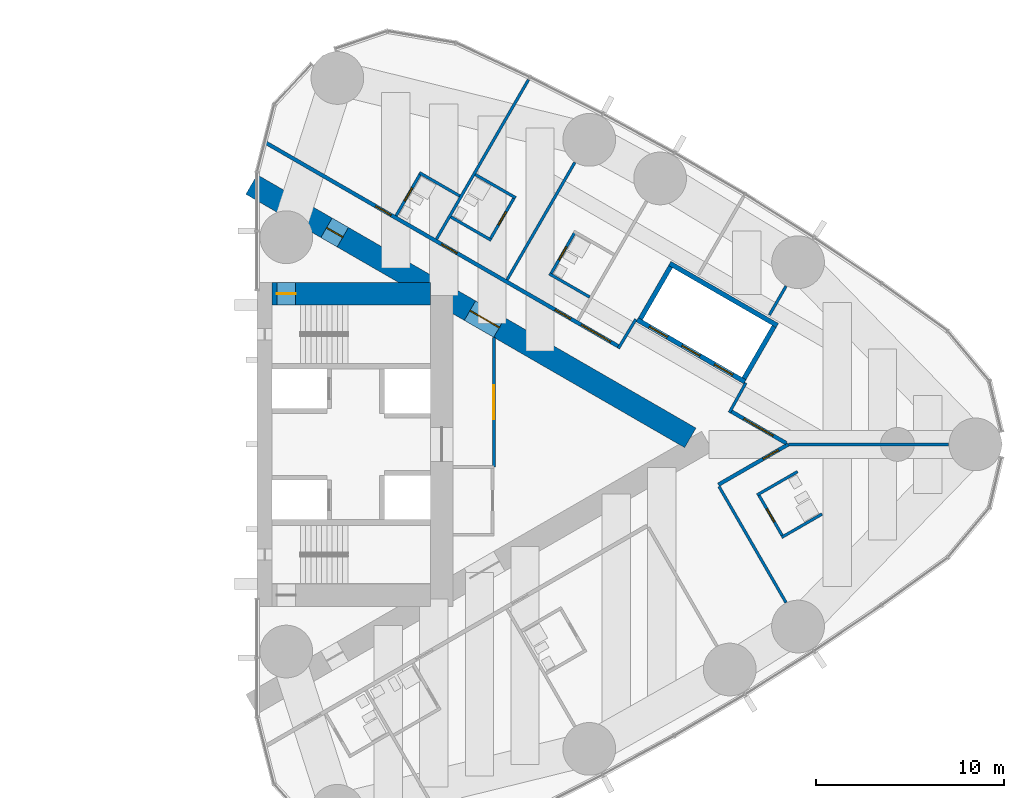
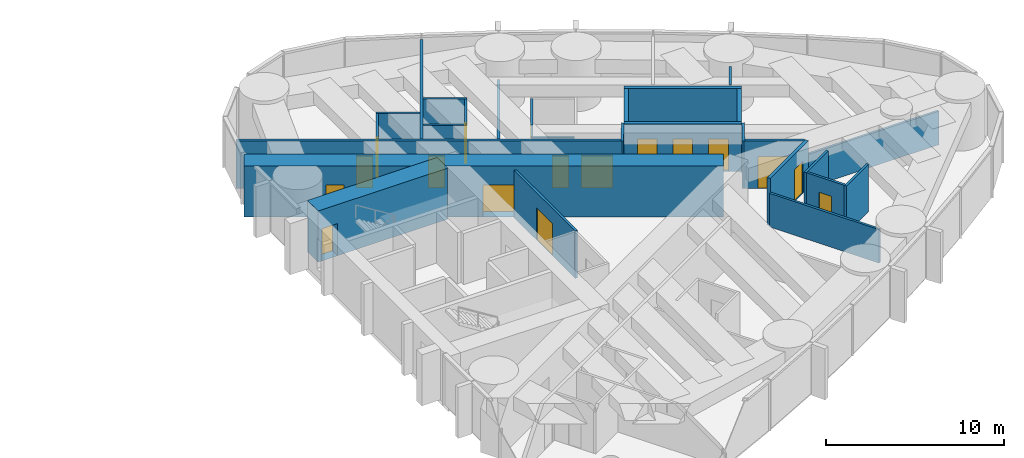
# One storey, part 15 of 18: 27 walls, 17 doors, 17 openings.
"""IFC4 building model written with IfcOpenShell, lengths in metres."""

from ifc_helpers import new_model, si_unit, direction, frame, frame_2d, origin, place, context, subcontext, project, spatial, rectangle, extrude, material, layer, layer_set, type_object, element, fill, save


model = new_model("IFC4")

# Units and contexts
model_context = context("Model", 3, precision=1e-05, world=origin(), true_north=direction((0.0, 1.0)))
body_context = subcontext(model_context, "Body", "Model", "MODEL_VIEW")
ifc_project = project(units=[si_unit("LENGTHUNIT", "METRE"), si_unit("AREAUNIT", "SQUARE_METRE"), si_unit("VOLUMEUNIT", "CUBIC_METRE"), si_unit("PLANEANGLEUNIT", "RADIAN"), si_unit("MASSUNIT", "GRAM", prefix="KILO")], contexts=[model_context])

# Site, building, storey
site_placement = place(None, origin())
site = spatial("IfcSite", under=ifc_project, at=site_placement, CompositionType="ELEMENT")
building_placement = place(site_placement, origin())
building = spatial("IfcBuilding", under=site, at=building_placement, Name="Lancet Gate Hotel", CompositionType="ELEMENT")
storey_placement = place(building_placement, frame((0.0, 0.0, 180.800048828125)))
storey = spatial("IfcBuildingStorey", under=building, at=storey_placement, Name="L48", CompositionType="ELEMENT", Elevation=180.800048828125)

# Wall
ifc_material_1 = material(Name="Moisture resistant board partition")
ifc_layer_1 = layer(ifc_material_1, 0.14990234375)
ifc_layer_set_1 = layer_set([ifc_layer_1], Name="Bathroom wall 150")
wall_type_1 = type_object("IfcWallType", Name="Bathroom wall 150", PredefinedType="PARTITIONING", material=ifc_layer_set_1)
wall_1_placement = place(storey_placement, frame((55.34912109375, -4.938232421875, 0.0), z_axis=(0.0, 0.0, 1.0), x_axis=(0.866006523861, 0.500032699561, 0.0)))
element("IfcWall", 1, at=wall_1_placement, inside=storey, type_object=wall_type_1, Name="T2 bathroom wall 150 L48", PredefinedType="PARTITIONING", context=body_context, shape_type="SweptSolid", body=[
    extrude(rectangle(XDim=2.474853515625, YDim=0.14990234375, at=frame_2d((1.2373046875, 0.0))), origin(), (0.0, 0.0, 1.0), 3.25),
])

# Wall, opening, door
wall_2_placement = place(storey_placement, frame((54.114013671875, -2.64892578125, 0.0), z_axis=(0.0, 0.0, 1.0), x_axis=(0.500006934395, -0.866021400173, 0.0)))
wall_2 = element("IfcWall", 2, at=wall_2_placement, inside=storey, type_object=wall_type_1, Name="T2 bathroom wall 150 L48", PredefinedType="PARTITIONING", context=body_context, shape_type="SweptSolid", body=[
    extrude(rectangle(XDim=2.60009765625, YDim=0.14990234375, at=frame_2d((1.300048828125, 0.0))), origin(), (0.0, 0.0, 1.0), 3.25),
])
opening_1_placement = place(wall_2_placement, frame((0.89990234375, 0.0, 0.0)))
opening_1 = element("IfcOpeningElement", 3, at=opening_1_placement, cuts=wall_2, Name="Opening 4857-B", PredefinedType="OPENING", context=body_context, shape_type="SweptSolid", body=[
    extrude(rectangle(XDim=0.800048828125, YDim=2.199951171875, at=frame_2d((0.39990234375, 1.10009765625))), frame((0.0, 0.0849609375, 0.0), z_axis=(0.0, -1.0, 0.0), x_axis=(1.0, 0.0, 0.0)), (0.0, 0.0, 1.0), 0.169921875),
])
ifc_material_2 = material(Name="Timber door set", Category="wood")
door_type_1 = type_object("IfcDoorType", Name="Bathroom door 800", OperationType="SINGLE_SWING_RIGHT", PredefinedType="DOOR", material=ifc_material_2)
door_1_placement = place(opening_1_placement, origin())
door_1 = element("IfcDoor", 4, at=door_1_placement, inside=storey, type_object=door_type_1, Name="4857-B", OperationType="SINGLE_SWING_RIGHT", OverallHeight=2.199951171875, OverallWidth=0.800048828125, PredefinedType="DOOR", context=body_context, shape_type="SweptSolid", body=[
    extrude(rectangle(XDim=0.800048828125, YDim=2.199951171875, at=frame_2d((0.39990234375, 1.10009765625))), frame((0.0, 0.02490234375, 0.0), z_axis=(0.0, -1.0, 0.0), x_axis=(1.0, 0.0, 0.0)), (0.0, 0.0, 1.0), 0.050048828125),
])
fill(opening_1, door_1)

# Wall
wall_3_placement = place(storey_placement, frame((54.049072265625, -2.6865234375, 0.0), z_axis=(0.0, 0.0, 1.0), x_axis=(0.866006523861, 0.500032699561, 0.0)))
element("IfcWall", 5, at=wall_3_placement, inside=storey, type_object=wall_type_1, Name="T2 bathroom wall 150 L48", PredefinedType="PARTITIONING", context=body_context, shape_type="SweptSolid", body=[
    extrude(rectangle(XDim=2.474853515625, YDim=0.14990234375, at=frame_2d((1.2373046875, 0.0))), origin(), (0.0, 0.0, 1.0), 3.25),
])

# Wall, opening, door
wall_4_placement = place(storey_placement, frame((43.078125, 9.020751953125, 0.0), z_axis=(0.0, 0.0, 1.0), x_axis=(0.49997716683, 0.86603858612, 0.0)))
wall_4 = element("IfcWall", 6, at=wall_4_placement, inside=storey, type_object=wall_type_1, Name="T2 bathroom wall 150 L48", PredefinedType="PARTITIONING", context=body_context, shape_type="SweptSolid", body=[
    extrude(rectangle(XDim=2.599609375, YDim=0.14990234375, at=frame_2d((1.2998046875, 0.0))), origin(), (0.0, 0.0, 1.0), 3.25),
])
opening_2_placement = place(wall_4_placement, frame((0.89990234375, 0.0, 0.0)))
opening_2 = element("IfcOpeningElement", 7, at=opening_2_placement, cuts=wall_4, Name="Opening 4861-B", PredefinedType="OPENING", context=body_context, shape_type="SweptSolid", body=[
    extrude(rectangle(XDim=0.800048828125, YDim=2.199951171875, at=frame_2d((0.39990234375, 1.10009765625))), frame((0.0, 0.0849609375, 0.0), z_axis=(0.0, -1.0, 0.0), x_axis=(1.0, 0.0, 0.0)), (0.0, 0.0, 1.0), 0.169921875),
])
door_2_placement = place(opening_2_placement, origin())
door_2 = element("IfcDoor", 8, at=door_2_placement, inside=storey, type_object=door_type_1, Name="4861-B", OperationType="SINGLE_SWING_RIGHT", OverallHeight=2.199951171875, OverallWidth=0.800048828125, PredefinedType="DOOR", context=body_context, shape_type="SweptSolid", body=[
    extrude(rectangle(XDim=0.800048828125, YDim=2.199951171875, at=frame_2d((0.39990234375, 1.10009765625))), frame((0.0, 0.02490234375, 0.0), z_axis=(0.0, -1.0, 0.0), x_axis=(1.0, 0.0, 0.0)), (0.0, 0.0, 1.0), 0.050048828125),
])
fill(opening_2, door_2)

# Walls
wall_5_placement = place(storey_placement, frame((43.01318359375, 9.05810546875, 0.0), z_axis=(0.0, 0.0, 1.0), x_axis=(0.866006523861, -0.500032699561, 0.0)))
element("IfcWall", 9, at=wall_5_placement, inside=storey, type_object=wall_type_1, Name="T2 bathroom wall 150 L48", PredefinedType="PARTITIONING", context=body_context, shape_type="SweptSolid", body=[
    extrude(rectangle(XDim=2.474853515625, YDim=0.14990234375, at=frame_2d((1.2373046875, 0.0))), origin(), (0.0, 0.0, 1.0), 2.449951171875),
])
wall_6_placement = place(storey_placement, frame((39.087158203125, 14.3271484375, 0.0), z_axis=(0.0, 0.0, 1.0), x_axis=(0.866006523861, -0.500032699561, 0.0)))
element("IfcWall", 10, at=wall_6_placement, inside=storey, type_object=wall_type_1, Name="T2 bathroom wall 150 L48", PredefinedType="PARTITIONING", context=body_context, shape_type="SweptSolid", body=[
    extrude(rectangle(XDim=2.474853515625, YDim=0.14990234375, at=frame_2d((1.2373046875, 0.0))), origin(), (0.0, 0.0, 1.0), 3.25),
])

# Wall, opening, door
wall_7_placement = place(storey_placement, frame((39.865478515625, 10.87548828125, 0.0), z_axis=(0.0, 0.0, 1.0), x_axis=(0.500047596559, 0.865997922154, 0.0)))
wall_7 = element("IfcWall", 11, at=wall_7_placement, inside=storey, type_object=wall_type_1, Name="T2 bathroom wall 150 L48", PredefinedType="PARTITIONING", context=body_context, shape_type="SweptSolid", body=[
    extrude(rectangle(XDim=2.599853515625, YDim=0.14990234375, at=frame_2d((1.2998046875, 0.0))), origin(), (0.0, 0.0, 1.0), 3.25),
])
opening_3_placement = place(wall_7_placement, frame((0.89990234375, 0.0, 0.0)))
opening_3 = element("IfcOpeningElement", 12, at=opening_3_placement, cuts=wall_7, Name="Opening 4862-B", PredefinedType="OPENING", context=body_context, shape_type="SweptSolid", body=[
    extrude(rectangle(XDim=0.800048828125, YDim=2.199951171875, at=frame_2d((0.39990234375, 1.10009765625))), frame((0.0, 0.0849609375, 0.0), z_axis=(0.0, -1.0, 0.0), x_axis=(1.0, 0.0, 0.0)), (0.0, 0.0, 1.0), 0.169921875),
])
door_3_placement = place(opening_3_placement, origin())
door_3 = element("IfcDoor", 13, at=door_3_placement, inside=storey, type_object=door_type_1, Name="4862-B", OperationType="SINGLE_SWING_RIGHT", OverallHeight=2.199951171875, OverallWidth=0.800048828125, PredefinedType="DOOR", context=body_context, shape_type="SweptSolid", body=[
    extrude(rectangle(XDim=0.800048828125, YDim=2.199951171875, at=frame_2d((0.39990234375, 1.10009765625))), frame((0.0, 0.02490234375, 0.0), z_axis=(0.0, -1.0, 0.0), x_axis=(1.0, 0.0, 0.0)), (0.0, 0.0, 1.0), 0.050048828125),
])
fill(opening_3, door_3)

# Walls
for number, where, z_axis, x_axis, name in (
    (14, (37.787109375, 12.075439453125, 0.0), (0.0, 0.0, 1.0), (0.866006523861, -0.500032699561, 0.0), "T2 bathroom wall 150 L48"),
    (15, (36.11376953125, 14.427001953125, 0.0), (0.0, 0.0, 1.0), (0.86604923931, -0.499958713387, 0.0), "T2 bathroom wall 150 L48"),
):
    element("IfcWall", number, at=place(storey_placement, frame(where, z_axis=z_axis, x_axis=x_axis)), inside=storey, type_object=wall_type_1, Name=name, PredefinedType="PARTITIONING", context=body_context, shape_type="SweptSolid", body=[
        extrude(rectangle(XDim=2.474853515625, YDim=0.14990234375, at=frame_2d((1.2373046875, 0.0))), origin(), (0.0, 0.0, 1.0), 3.25),
    ])

# Wall, opening, door
wall_8_placement = place(storey_placement, frame((34.878662109375, 12.137939453125, 0.0), z_axis=(0.0, 0.0, 1.0), x_axis=(0.500006934395, 0.866021400173, 0.0)))
wall_8 = element("IfcWall", 16, at=wall_8_placement, inside=storey, type_object=wall_type_1, Name="T2 bathroom wall 150 L48", PredefinedType="PARTITIONING", context=body_context, shape_type="SweptSolid", body=[
    extrude(rectangle(XDim=2.60009765625, YDim=0.14990234375, at=frame_2d((1.300048828125, 0.0))), origin(), (0.0, 0.0, 1.0), 3.25),
])
opening_4_placement = place(wall_8_placement, frame((0.89990234375, 0.0, 0.0)))
opening_4 = element("IfcOpeningElement", 17, at=opening_4_placement, cuts=wall_8, Name="Opening 4863-B", PredefinedType="OPENING", context=body_context, shape_type="SweptSolid", body=[
    extrude(rectangle(XDim=0.800048828125, YDim=2.199951171875, at=frame_2d((0.39990234375, 1.10009765625))), frame((0.0, 0.0849609375, 0.0), z_axis=(0.0, -1.0, 0.0), x_axis=(1.0, 0.0, 0.0)), (0.0, 0.0, 1.0), 0.169921875),
])
door_4_placement = place(opening_4_placement, origin())
door_4 = element("IfcDoor", 18, at=door_4_placement, inside=storey, type_object=door_type_1, Name="4863-B", OperationType="SINGLE_SWING_RIGHT", OverallHeight=2.199951171875, OverallWidth=0.800048828125, PredefinedType="DOOR", context=body_context, shape_type="SweptSolid", body=[
    extrude(rectangle(XDim=0.800048828125, YDim=2.199951171875, at=frame_2d((0.39990234375, 1.10009765625))), frame((0.0, 0.02490234375, 0.0), z_axis=(0.0, -1.0, 0.0), x_axis=(1.0, 0.0, 0.0)), (0.0, 0.0, 1.0), 0.050048828125),
])
fill(opening_4, door_4)

# Wall, openings, doors
ifc_material_3 = material(Name="Concrete C70/85", Category="concrete")
ifc_layer_2 = layer(ifc_material_3, 1.199951171875)
ifc_layer_set_2 = layer_set([ifc_layer_2], Name="Buttress wall 1200")
wall_type_2 = type_object("IfcWallType", Name="Buttress wall 1200", PredefinedType="SHEAR", material=ifc_layer_set_2)
wall_9_placement = place(storey_placement, frame((27.199951171875, 13.800048828125, 0.0), z_axis=(0.0, 0.0, 1.0), x_axis=(0.866024515034, -0.500001539357, 0.0)))
wall_9 = element("IfcWall", 19, at=wall_9_placement, inside=storey, type_object=wall_type_2, Name="T2 buttress wall N L48", PredefinedType="SHEAR", context=body_context, shape_type="SweptSolid", body=[
    extrude(rectangle(XDim=26.9072265625, YDim=1.199951171875, at=frame_2d((13.45361328125, 0.0))), origin(), (0.0, 0.0, 1.0), 3.5),
])
opening_5_placement = place(wall_9_placement, frame((4.60009765625, 0.0, 0.0)))
opening_5 = element("IfcOpeningElement", 20, at=opening_5_placement, cuts=wall_9, Name="Opening T2-L48-LN", PredefinedType="OPENING", context=body_context, shape_type="SweptSolid", body=[
    extrude(rectangle(XDim=1.0, YDim=2.199951171875, at=frame_2d((0.5, 1.10009765625))), frame((0.0, 0.60986328125, 0.0), z_axis=(0.0, -1.0, 0.0), x_axis=(1.0, 0.0, 0.0)), (0.0, 0.0, 1.0), 1.219970703125),
])
opening_6_placement = place(wall_9_placement, frame((13.39453125, 0.0, 0.0)))
opening_6 = element("IfcOpeningElement", 21, at=opening_6_placement, cuts=wall_9, Name="Opening T2-L48-LHN", PredefinedType="OPENING", context=body_context, shape_type="SweptSolid", body=[
    extrude(rectangle(XDim=1.800048828125, YDim=2.199951171875, at=frame_2d((0.89990234375, 1.10009765625))), frame((0.0, 0.60986328125, 0.0), z_axis=(0.0, -1.0, 0.0), x_axis=(1.0, 0.0, 0.0)), (0.0, 0.0, 1.0), 1.219970703125),
])
ifc_material_4 = material(Name="Timber door set", Category="wood")
door_type_2 = type_object("IfcDoorType", Name="Lobby double door 1800", OperationType="DOUBLE_DOOR_SINGLE_SWING", PredefinedType="DOOR", material=ifc_material_4)
door_5_placement = place(opening_6_placement, origin())
door_5 = element("IfcDoor", 22, at=door_5_placement, inside=storey, type_object=door_type_2, Name="T2-L48-LHN", OperationType="DOUBLE_DOOR_SINGLE_SWING", OverallHeight=2.199951171875, OverallWidth=1.800048828125, PredefinedType="DOOR", context=body_context, shape_type="SweptSolid", body=[
    extrude(rectangle(XDim=1.800048828125, YDim=2.199951171875, at=frame_2d((0.89990234375, 1.10009765625))), frame((0.0, 0.02490234375, 0.0), z_axis=(0.0, -1.0, 0.0), x_axis=(1.0, 0.0, 0.0)), (0.0, 0.0, 1.0), 0.050048828125),
])
fill(opening_6, door_5)
ifc_material_5 = material(Name="Timber door set", Category="wood")
door_type_3 = type_object("IfcDoorType", Name="Stair lobby door 1000", OperationType="SINGLE_SWING_LEFT", PredefinedType="DOOR", material=ifc_material_5)
door_6_placement = place(opening_5_placement, origin())
door_6 = element("IfcDoor", 23, at=door_6_placement, inside=storey, type_object=door_type_3, Name="T2-L48-LN", OperationType="SINGLE_SWING_LEFT", OverallHeight=2.199951171875, OverallWidth=1.0, PredefinedType="DOOR", context=body_context, shape_type="SweptSolid", body=[
    extrude(rectangle(XDim=1.0, YDim=2.199951171875, at=frame_2d((0.5, 1.10009765625))), frame((0.0, 0.02490234375, 0.0), z_axis=(0.0, -1.0, 0.0), x_axis=(1.0, 0.0, 0.0)), (0.0, 0.0, 1.0), 0.050048828125),
])
fill(opening_5, door_6)

# Wall, opening, door
ifc_material_6 = material(Name="Concrete C70/85", Category="concrete")
ifc_layer_3 = layer(ifc_material_6, 1.199951171875)
ifc_layer_set_3 = layer_set([ifc_layer_3], Name="Core wall 1200")
wall_type_3 = type_object("IfcWallType", Name="Core wall 1200", PredefinedType="SHEAR", material=ifc_layer_set_3)
wall_10_placement = place(storey_placement, frame((28.300048828125, 8.0, 0.0), z_axis=(0.0, 0.0, 1.0), x_axis=(1.0, 0.0, 0.0)))
wall_10 = element("IfcWall", 24, at=wall_10_placement, inside=storey, type_object=wall_type_3, Name="T2 core wall side-N L48", PredefinedType="SHEAR", context=body_context, shape_type="SweptSolid", body=[
    extrude(rectangle(XDim=8.39990234375, YDim=1.199951171875, at=frame_2d((4.199951171875, 0.0))), origin(), (0.0, 0.0, 1.0), 3.5),
])
opening_7_placement = place(wall_10_placement, frame((0.25, 0.0, 0.0)))
opening_7 = element("IfcOpeningElement", 25, at=opening_7_placement, cuts=wall_10, Name="Opening T2-L48-ST2", PredefinedType="OPENING", context=body_context, shape_type="SweptSolid", body=[
    extrude(rectangle(XDim=1.0, YDim=2.199951171875, at=frame_2d((0.5, 1.10009765625))), frame((0.0, 0.60986328125, 0.0), z_axis=(0.0, -1.0, 0.0), x_axis=(1.0, 0.0, 0.0)), (0.0, 0.0, 1.0), 1.219970703125),
])
ifc_material_7 = material(Name="Timber door set", Category="wood")
door_type_4 = type_object("IfcDoorType", Name="Stair door 1000", OperationType="SINGLE_SWING_RIGHT", PredefinedType="DOOR", material=ifc_material_7)
door_7_placement = place(opening_7_placement, origin())
door_7 = element("IfcDoor", 26, at=door_7_placement, inside=storey, type_object=door_type_4, Name="T2-L48-ST2", OperationType="SINGLE_SWING_RIGHT", OverallHeight=2.199951171875, OverallWidth=1.0, PredefinedType="DOOR", context=body_context, shape_type="SweptSolid", body=[
    extrude(rectangle(XDim=1.0, YDim=2.199951171875, at=frame_2d((0.5, 1.10009765625))), frame((0.0, 0.02490234375, 0.0), z_axis=(0.0, -1.0, 0.0), x_axis=(1.0, 0.0, 0.0)), (0.0, 0.0, 1.0), 0.050048828125),
])
fill(opening_7, door_7)

# Wall, openings, doors
ifc_material_8 = material(Name="Gypsum board partition")
ifc_layer_4 = layer(ifc_material_8, 0.199951171875)
ifc_layer_set_4 = layer_set([ifc_layer_4], Name="Corridor wall 200")
wall_type_4 = type_object("IfcWallType", Name="Corridor wall 200", PredefinedType="PARTITIONING", material=ifc_layer_set_4)
wall_11_placement = place(storey_placement, frame((27.95947265625, 16.017333984375, 0.0), z_axis=(0.0, 0.0, 1.0), x_axis=(0.866027146794, -0.499996981007, 0.0)))
wall_11 = element("IfcWall", 27, at=wall_11_placement, inside=storey, type_object=wall_type_4, Name="T2 corridor wall 200 L48", PredefinedType="PARTITIONING", context=body_context, shape_type="SweptSolid", body=[
    extrude(rectangle(XDim=21.657470703125, YDim=0.199951171875, at=frame_2d((10.82861328125, 0.0))), origin(), (0.0, 0.0, 1.0), 3.25),
])
opening_8_placement = place(wall_11_placement, frame((17.741455078125, 0.0, 0.0)))
opening_8 = element("IfcOpeningElement", 28, at=opening_8_placement, cuts=wall_11, Name="Opening 4861-E", PredefinedType="OPENING", context=body_context, shape_type="SweptSolid", body=[
    extrude(rectangle(XDim=0.949951171875, YDim=2.199951171875, at=frame_2d((0.47509765625, 1.10009765625))), frame((0.0, 0.10986328125, 0.0), z_axis=(0.0, -1.0, 0.0), x_axis=(1.0, 0.0, 0.0)), (0.0, 0.0, 1.0), 0.219970703125),
])
opening_9_placement = place(wall_11_placement, frame((10.781982421875, 0.0, 0.0)))
opening_9 = element("IfcOpeningElement", 29, at=opening_9_placement, cuts=wall_11, Name="Opening 4862-E", PredefinedType="OPENING", context=body_context, shape_type="SweptSolid", body=[
    extrude(rectangle(XDim=0.949951171875, YDim=2.199951171875, at=frame_2d((0.47509765625, 1.10009765625))), frame((0.0, 0.10986328125, 0.0), z_axis=(0.0, -1.0, 0.0), x_axis=(1.0, 0.0, 0.0)), (0.0, 0.0, 1.0), 0.219970703125),
])
opening_10_placement = place(wall_11_placement, frame((6.73193359375, 0.0, 0.0)))
opening_10 = element("IfcOpeningElement", 30, at=opening_10_placement, cuts=wall_11, Name="Opening 4863-E", PredefinedType="OPENING", context=body_context, shape_type="SweptSolid", body=[
    extrude(rectangle(XDim=0.949951171875, YDim=2.199951171875, at=frame_2d((0.47509765625, 1.10009765625))), frame((0.0, 0.10986328125, 0.0), z_axis=(0.0, -1.0, 0.0), x_axis=(1.0, 0.0, 0.0)), (0.0, 0.0, 1.0), 0.219970703125),
])
opening_11_placement = place(wall_11_placement, frame((19.349365234375, 0.0, 0.0)))
opening_11 = element("IfcOpeningElement", 31, at=opening_11_placement, cuts=wall_11, Name="Opening T2-L48-LO2", PredefinedType="OPENING", context=body_context, shape_type="SweptSolid", body=[
    extrude(rectangle(XDim=1.800048828125, YDim=2.199951171875, at=frame_2d((0.89990234375, 1.10009765625))), frame((0.0, 0.10986328125, 0.0), z_axis=(0.0, -1.0, 0.0), x_axis=(1.0, 0.0, 0.0)), (0.0, 0.0, 1.0), 0.219970703125),
])
ifc_material_9 = material(Name="Timber door set", Category="wood")
door_type_5 = type_object("IfcDoorType", Name="Double door 1800", OperationType="DOUBLE_DOOR_SINGLE_SWING", PredefinedType="DOOR", material=ifc_material_9)
door_8_placement = place(opening_11_placement, origin())
door_8 = element("IfcDoor", 32, at=door_8_placement, inside=storey, type_object=door_type_5, Name="T2-L48-LO2", OperationType="DOUBLE_DOOR_SINGLE_SWING", OverallHeight=2.199951171875, OverallWidth=1.800048828125, PredefinedType="DOOR", context=body_context, shape_type="SweptSolid", body=[
    extrude(rectangle(XDim=1.800048828125, YDim=2.199951171875, at=frame_2d((0.89990234375, 1.10009765625))), frame((0.0, 0.02490234375, 0.0), z_axis=(0.0, -1.0, 0.0), x_axis=(1.0, 0.0, 0.0)), (0.0, 0.0, 1.0), 0.050048828125),
])
fill(opening_11, door_8)
ifc_material_10 = material(Name="Timber door set", Category="wood")
door_type_6 = type_object("IfcDoorType", Name="Guest room entry door 950", OperationType="SINGLE_SWING_LEFT", PredefinedType="DOOR", material=ifc_material_10)
door_9_placement = place(opening_8_placement, origin())
door_9 = element("IfcDoor", 33, at=door_9_placement, inside=storey, type_object=door_type_6, Name="4861-E", OperationType="SINGLE_SWING_LEFT", OverallHeight=2.199951171875, OverallWidth=0.949951171875, PredefinedType="DOOR", context=body_context, shape_type="SweptSolid", body=[
    extrude(rectangle(XDim=0.949951171875, YDim=2.199951171875, at=frame_2d((0.47509765625, 1.10009765625))), frame((0.0, 0.02490234375, 0.0), z_axis=(0.0, -1.0, 0.0), x_axis=(1.0, 0.0, 0.0)), (0.0, 0.0, 1.0), 0.050048828125),
])
fill(opening_8, door_9)
door_10_placement = place(opening_9_placement, origin())
door_10 = element("IfcDoor", 34, at=door_10_placement, inside=storey, type_object=door_type_6, Name="4862-E", OperationType="SINGLE_SWING_LEFT", OverallHeight=2.199951171875, OverallWidth=0.949951171875, PredefinedType="DOOR", context=body_context, shape_type="SweptSolid", body=[
    extrude(rectangle(XDim=0.949951171875, YDim=2.199951171875, at=frame_2d((0.47509765625, 1.10009765625))), frame((0.0, 0.02490234375, 0.0), z_axis=(0.0, -1.0, 0.0), x_axis=(1.0, 0.0, 0.0)), (0.0, 0.0, 1.0), 0.050048828125),
])
fill(opening_9, door_10)
door_11_placement = place(opening_10_placement, origin())
door_11 = element("IfcDoor", 35, at=door_11_placement, inside=storey, type_object=door_type_6, Name="4863-E", OperationType="SINGLE_SWING_LEFT", OverallHeight=2.199951171875, OverallWidth=0.949951171875, PredefinedType="DOOR", context=body_context, shape_type="SweptSolid", body=[
    extrude(rectangle(XDim=0.949951171875, YDim=2.199951171875, at=frame_2d((0.47509765625, 1.10009765625))), frame((0.0, 0.02490234375, 0.0), z_axis=(0.0, -1.0, 0.0), x_axis=(1.0, 0.0, 0.0)), (0.0, 0.0, 1.0), 0.050048828125),
])
fill(opening_10, door_11)

# Wall, opening, door
wall_12_placement = place(storey_placement, frame((52.63916015625, 1.7685546875, 0.0), z_axis=(0.0, 0.0, 1.0), x_axis=(0.866027340901, -0.4999966448, 0.0)))
wall_12 = element("IfcWall", 36, at=wall_12_placement, inside=storey, type_object=wall_type_4, Name="T2 corridor wall 200 L48", PredefinedType="PARTITIONING", context=body_context, shape_type="SweptSolid", body=[
    extrude(rectangle(XDim=3.4169921875, YDim=0.199951171875, at=frame_2d((1.70849609375, 0.0))), origin(), (0.0, 0.0, 1.0), 3.25),
])
opening_12_placement = place(wall_12_placement, frame((0.80859375, 0.0, 0.0)))
opening_12 = element("IfcOpeningElement", 37, at=opening_12_placement, cuts=wall_12, Name="Opening T2-L48-LO1", PredefinedType="OPENING", context=body_context, shape_type="SweptSolid", body=[
    extrude(rectangle(XDim=1.800048828125, YDim=2.199951171875, at=frame_2d((0.89990234375, 1.10009765625))), frame((0.0, 0.10986328125, 0.0), z_axis=(0.0, -1.0, 0.0), x_axis=(1.0, 0.0, 0.0)), (0.0, 0.0, 1.0), 0.219970703125),
])
door_12_placement = place(opening_12_placement, origin())
door_12 = element("IfcDoor", 38, at=door_12_placement, inside=storey, type_object=door_type_5, Name="T2-L48-LO1", OperationType="DOUBLE_DOOR_SINGLE_SWING", OverallHeight=2.199951171875, OverallWidth=1.800048828125, PredefinedType="DOOR", context=body_context, shape_type="SweptSolid", body=[
    extrude(rectangle(XDim=1.800048828125, YDim=2.199951171875, at=frame_2d((0.89990234375, 1.10009765625))), frame((0.0, 0.02490234375, 0.0), z_axis=(0.0, -1.0, 0.0), x_axis=(1.0, 0.0, 0.0)), (0.0, 0.0, 1.0), 0.050048828125),
])
fill(opening_12, door_12)

wall_13_placement = place(storey_placement, frame((51.996826171875, -2.13916015625, 0.0), z_axis=(0.0, 0.0, 1.0), x_axis=(0.866036399848, 0.499980953776, 0.0)))
wall_13 = element("IfcWall", 39, at=wall_13_placement, inside=storey, type_object=wall_type_4, Name="T2 corridor wall 200 L48", PredefinedType="PARTITIONING", context=body_context, shape_type="SweptSolid", body=[
    extrude(rectangle(XDim=4.278564453125, YDim=0.199951171875, at=frame_2d((2.13916015625, 0.0))), origin(), (0.0, 0.0, 1.0), 3.25),
])
opening_13_placement = place(wall_13_placement, frame((2.728515625, 0.0, 0.0)))
opening_13 = element("IfcOpeningElement", 40, at=opening_13_placement, cuts=wall_13, Name="Opening 4857-E", PredefinedType="OPENING", context=body_context, shape_type="SweptSolid", body=[
    extrude(rectangle(XDim=0.949951171875, YDim=2.199951171875, at=frame_2d((0.47509765625, 1.10009765625))), frame((0.0, 0.10986328125, 0.0), z_axis=(0.0, -1.0, 0.0), x_axis=(1.0, 0.0, 0.0)), (0.0, 0.0, 1.0), 0.219970703125),
])
door_13_placement = place(opening_13_placement, origin())
door_13 = element("IfcDoor", 41, at=door_13_placement, inside=storey, type_object=door_type_6, Name="4857-E", OperationType="SINGLE_SWING_LEFT", OverallHeight=2.199951171875, OverallWidth=0.949951171875, PredefinedType="DOOR", context=body_context, shape_type="SweptSolid", body=[
    extrude(rectangle(XDim=0.949951171875, YDim=2.199951171875, at=frame_2d((0.47509765625, 1.10009765625))), frame((0.0, 0.02490234375, 0.0), z_axis=(0.0, -1.0, 0.0), x_axis=(1.0, 0.0, 0.0)), (0.0, 0.0, 1.0), 0.050048828125),
])
fill(opening_13, door_13)

# Wall, openings, doors
ifc_material_11 = material(Name="Gypsum board partition")
ifc_layer_5 = layer(ifc_material_11, 0.25)
ifc_layer_set_5 = layer_set([ifc_layer_5], Name="Lift shaft partition 250")
wall_type_5 = type_object("IfcWallType", Name="Lift shaft partition 250", PredefinedType="PARTITIONING", material=ifc_layer_set_5)
wall_14_placement = place(storey_placement, frame((47.681396484375, 6.622314453125, 0.0), z_axis=(0.0, 0.0, 1.0), x_axis=(0.86603344179, -0.499986077507, 0.0)))
wall_14 = element("IfcWall", 42, at=wall_14_placement, inside=storey, type_object=wall_type_5, Name="T2 lift shaft wall HL L48", PredefinedType="PARTITIONING", context=body_context, shape_type="SweptSolid", body=[
    extrude(rectangle(XDim=6.600341796875, YDim=0.25, at=frame_2d((3.30029296875, 0.0))), origin(), (0.0, 0.0, 1.0), 3.25),
])
opening_14_placement = place(wall_14_placement, frame((0.75, 0.0, 0.0)))
opening_14 = element("IfcOpeningElement", 43, at=opening_14_placement, cuts=wall_14, Name="Opening T2-HL1-L48", PredefinedType="OPENING", context=body_context, shape_type="SweptSolid", body=[
    extrude(rectangle(XDim=1.10009765625, YDim=2.199951171875, at=frame_2d((0.550048828125, 1.10009765625))), frame((0.0, 0.135009765625, 0.0), z_axis=(0.0, -1.0, 0.0), x_axis=(1.0, 0.0, 0.0)), (0.0, 0.0, 1.0), 0.27001953125),
])
opening_15_placement = place(wall_14_placement, frame((2.75, 0.0, 0.0)))
opening_15 = element("IfcOpeningElement", 44, at=opening_15_placement, cuts=wall_14, Name="Opening T2-HL2-L48", PredefinedType="OPENING", context=body_context, shape_type="SweptSolid", body=[
    extrude(rectangle(XDim=1.10009765625, YDim=2.199951171875, at=frame_2d((0.550048828125, 1.10009765625))), frame((0.0, 0.135009765625, 0.0), z_axis=(0.0, -1.0, 0.0), x_axis=(1.0, 0.0, 0.0)), (0.0, 0.0, 1.0), 0.27001953125),
])
opening_16_placement = place(wall_14_placement, frame((4.75, 0.0, 0.0)))
opening_16 = element("IfcOpeningElement", 45, at=opening_16_placement, cuts=wall_14, Name="Opening T2-HL3-L48", PredefinedType="OPENING", context=body_context, shape_type="SweptSolid", body=[
    extrude(rectangle(XDim=1.10009765625, YDim=2.199951171875, at=frame_2d((0.550048828125, 1.10009765625))), frame((0.0, 0.135009765625, 0.0), z_axis=(0.0, -1.0, 0.0), x_axis=(1.0, 0.0, 0.0)), (0.0, 0.0, 1.0), 0.27001953125),
])
ifc_material_12 = material(Name="Steel door set", Category="steel")
door_type_7 = type_object("IfcDoorType", Name="Lift landing door 1100", OperationType="DOUBLE_DOOR_SLIDING", PredefinedType="USERDEFINED", material=ifc_material_12)
door_14_placement = place(opening_14_placement, origin())
door_14 = element("IfcDoor", 46, at=door_14_placement, inside=storey, type_object=door_type_7, Name="T2-HL1-L48", ObjectType="LIFT LANDING DOOR", OperationType="DOUBLE_DOOR_SLIDING", OverallHeight=2.199951171875, OverallWidth=1.10009765625, PredefinedType="USERDEFINED", context=body_context, shape_type="SweptSolid", body=[
    extrude(rectangle(XDim=1.10009765625, YDim=2.199951171875, at=frame_2d((0.550048828125, 1.10009765625))), frame((0.0, 0.02490234375, 0.0), z_axis=(0.0, -1.0, 0.0), x_axis=(1.0, 0.0, 0.0)), (0.0, 0.0, 1.0), 0.050048828125),
])
fill(opening_14, door_14)
door_15_placement = place(opening_15_placement, origin())
door_15 = element("IfcDoor", 47, at=door_15_placement, inside=storey, type_object=door_type_7, Name="T2-HL2-L48", ObjectType="LIFT LANDING DOOR", OperationType="DOUBLE_DOOR_SLIDING", OverallHeight=2.199951171875, OverallWidth=1.10009765625, PredefinedType="USERDEFINED", context=body_context, shape_type="SweptSolid", body=[
    extrude(rectangle(XDim=1.10009765625, YDim=2.199951171875, at=frame_2d((0.550048828125, 1.10009765625))), frame((0.0, 0.02490234375, 0.0), z_axis=(0.0, -1.0, 0.0), x_axis=(1.0, 0.0, 0.0)), (0.0, 0.0, 1.0), 0.050048828125),
])
fill(opening_15, door_15)
door_16_placement = place(opening_16_placement, origin())
door_16 = element("IfcDoor", 48, at=door_16_placement, inside=storey, type_object=door_type_7, Name="T2-HL3-L48", ObjectType="LIFT LANDING DOOR", OperationType="DOUBLE_DOOR_SLIDING", OverallHeight=2.199951171875, OverallWidth=1.10009765625, PredefinedType="USERDEFINED", context=body_context, shape_type="SweptSolid", body=[
    extrude(rectangle(XDim=1.10009765625, YDim=2.199951171875, at=frame_2d((0.550048828125, 1.10009765625))), frame((0.0, 0.02490234375, 0.0), z_axis=(0.0, -1.0, 0.0), x_axis=(1.0, 0.0, 0.0)), (0.0, 0.0, 1.0), 0.050048828125),
])
fill(opening_16, door_16)

# Walls
wall_15_placement = place(storey_placement, frame((49.406494140625, 9.61083984375, 0.0), z_axis=(0.0, 0.0, 1.0), x_axis=(0.86603344179, -0.499986077507, 0.0)))
element("IfcWall", 49, at=wall_15_placement, inside=storey, type_object=wall_type_5, Name="T2 lift shaft wall HL L48", PredefinedType="PARTITIONING", context=body_context, shape_type="SweptSolid", body=[
    extrude(rectangle(XDim=6.600341796875, YDim=0.25, at=frame_2d((3.30029296875, 0.0))), origin(), (0.0, 0.0, 1.0), 3.25),
])
wall_16_placement = place(storey_placement, frame((47.852294921875, 6.66796875, 0.0), z_axis=(0.0, 0.0, 1.0), x_axis=(0.499929347863, 0.866066190972, 0.0)))
element("IfcWall", 50, at=wall_16_placement, inside=storey, type_object=wall_type_5, Name="T2 lift shaft wall HL L48", PredefinedType="PARTITIONING", context=body_context, shape_type="SweptSolid", body=[
    extrude(rectangle(XDim=3.20068359375, YDim=0.25, at=frame_2d((1.600341796875, 0.0))), origin(), (0.0, 0.0, 1.0), 3.25),
])
wall_17_placement = place(storey_placement, frame((53.351806640625, 3.492919921875, 0.0), z_axis=(0.0, 0.0, 1.0), x_axis=(0.499872130319, 0.866099216793, 0.0)))
element("IfcWall", 51, at=wall_17_placement, inside=storey, type_object=wall_type_5, Name="T2 lift shaft wall HL L48", PredefinedType="PARTITIONING", context=body_context, shape_type="SweptSolid", body=[
    extrude(rectangle(XDim=3.200439453125, YDim=0.25, at=frame_2d((1.60009765625, 0.0))), origin(), (0.0, 0.0, 1.0), 3.25),
])
ifc_material_13 = material(Name="Gypsum board partition")
ifc_layer_6 = layer(ifc_material_13, 0.14990234375)
ifc_layer_set_6 = layer_set([ifc_layer_6], Name="Party wall 150")
wall_type_6 = type_object("IfcWallType", Name="Party wall 150", PredefinedType="PARTITIONING", material=ifc_layer_set_6)
wall_18_placement = place(storey_placement, frame((52.025390625, -2.23828125, 0.0), z_axis=(0.0, 0.0, 1.0), x_axis=(0.499983785035, -0.866034765296, 0.0)))
element("IfcWall", 52, at=wall_18_placement, inside=storey, type_object=wall_type_6, Name="T2 party wall 150 L48", PredefinedType="PARTITIONING", context=body_context, shape_type="SweptSolid", body=[
    extrude(rectangle(XDim=7.116455078125, YDim=0.14990234375, at=frame_2d((3.55810546875, 0.0))), origin(), (0.0, 0.0, 1.0), 2.300048828125),
])
wall_19_placement = place(storey_placement, frame((37.022216796875, 10.900390625, 0.0), z_axis=(0.0, 0.0, 1.0), x_axis=(0.499998620953, 0.866026199976, 0.0)))
element("IfcWall", 53, at=wall_19_placement, inside=storey, type_object=wall_type_6, Name="T2 party wall 150 L48", PredefinedType="PARTITIONING", context=body_context, shape_type="SweptSolid", body=[
    extrude(rectangle(XDim=9.76953125, YDim=0.14990234375, at=frame_2d((4.884765625, 0.0))), origin(), (0.0, 0.0, 1.0), 3.25),
])
wall_20_placement = place(storey_placement, frame((40.769287109375, 8.737060546875, 0.0), z_axis=(0.0, 0.0, 1.0), x_axis=(0.500013115284, 0.866017831539, 0.0)))
element("IfcWall", 54, at=wall_20_placement, inside=storey, type_object=wall_type_6, Name="T2 party wall 150 L48", PredefinedType="PARTITIONING", context=body_context, shape_type="SweptSolid", body=[
    extrude(rectangle(XDim=7.197998046875, YDim=0.14990234375, at=frame_2d((3.59912109375, 0.0))), origin(), (0.0, 0.0, 1.0), 2.300048828125),
])
wall_21_placement = place(storey_placement, frame((55.7021484375, 0.0, 0.0), z_axis=(0.0, 0.0, 1.0), x_axis=(1.0, 0.0, 0.0)))
element("IfcWall", 55, at=wall_21_placement, inside=storey, type_object=wall_type_6, Name="T2 party wall 150 L48", PredefinedType="PARTITIONING", context=body_context, shape_type="SweptSolid", body=[
    extrude(rectangle(XDim=8.517578125, YDim=0.14990234375, at=frame_2d((4.2587890625, 0.0))), origin(), (0.0, 0.0, 1.0), 2.300048828125),
])
wall_22_placement = place(storey_placement, frame((54.700439453125, 6.871826171875, 0.0), z_axis=(0.0, 0.0, 1.0), x_axis=(0.499989690894, 0.866031355668, 0.0)))
element("IfcWall", 56, at=wall_22_placement, inside=storey, type_object=wall_type_6, Name="T2 party wall 150 L48", PredefinedType="PARTITIONING", context=body_context, shape_type="SweptSolid", body=[
    extrude(rectangle(XDim=1.76611328125, YDim=0.14990234375, at=frame_2d((0.883056640625, 0.0))), origin(), (0.0, 0.0, 1.0), 3.25),
])
ifc_material_14 = material(Name="Gypsum board partition")
ifc_layer_7 = layer(ifc_material_14, 0.14990234375)
ifc_layer_set_7 = layer_set([ifc_layer_7], Name="Service room wall 150")
wall_type_7 = type_object("IfcWallType", Name="Service room wall 150", PredefinedType="PARTITIONING", material=ifc_layer_set_7)
for number, where, z_axis, x_axis, name in (
    (57, (52.576171875, 1.689453125, 0.0), (0.0, 0.0, 1.0), (0.485482130951, 0.874246590229, 0.0), "T2 service room wall 150 L48"),
    (58, (47.6064453125, 6.642578125, 0.0), (0.0, 0.0, 1.0), (-0.514237157483, -0.857648031458, 0.0), "T2 service room wall 150 L48"),
):
    element("IfcWall", number, at=place(storey_placement, frame(where, z_axis=z_axis, x_axis=x_axis)), inside=storey, type_object=wall_type_7, Name=name, PredefinedType="PARTITIONING", context=body_context, shape_type="SweptSolid", body=[
        extrude(rectangle(XDim=1.804931640625, YDim=0.14990234375, at=frame_2d((0.90234375, 0.0))), origin(), (0.0, 0.0, 1.0), 3.25),
    ])

# Wall, opening, door
wall_23_placement = place(storey_placement, frame((40.074951171875, -1.199951171875, 0.0), z_axis=(0.0, 0.0, 1.0), x_axis=(0.0, 1.0, 0.0)))
wall_23 = element("IfcWall", 59, at=wall_23_placement, inside=storey, type_object=wall_type_7, Name="T2 service room wall 150 L48", PredefinedType="PARTITIONING", context=body_context, shape_type="SweptSolid", body=[
    extrude(rectangle(XDim=6.873779296875, YDim=0.14990234375, at=frame_2d((3.43701171875, 0.0))), origin(), (0.0, 0.0, 1.0), 3.25),
])
opening_17_placement = place(wall_23_placement, frame((2.536865234375, 0.0, 0.0)))
opening_17 = element("IfcOpeningElement", 60, at=opening_17_placement, cuts=wall_23, Name="Opening T2-L48-LH", PredefinedType="OPENING", context=body_context, shape_type="SweptSolid", body=[
    extrude(rectangle(XDim=1.800048828125, YDim=2.199951171875, at=frame_2d((0.89990234375, 1.10009765625))), frame((0.0, 0.0849609375, 0.0), z_axis=(0.0, -1.0, 0.0), x_axis=(1.0, 0.0, 0.0)), (0.0, 0.0, 1.0), 0.169921875),
])
door_17_placement = place(opening_17_placement, origin())
door_17 = element("IfcDoor", 61, at=door_17_placement, inside=storey, type_object=door_type_2, Name="T2-L48-LH", OperationType="DOUBLE_DOOR_SINGLE_SWING", OverallHeight=2.199951171875, OverallWidth=1.800048828125, PredefinedType="DOOR", context=body_context, shape_type="SweptSolid", body=[
    extrude(rectangle(XDim=1.800048828125, YDim=2.199951171875, at=frame_2d((0.89990234375, 1.10009765625))), frame((0.0, 0.02490234375, 0.0), z_axis=(0.0, -1.0, 0.0), x_axis=(1.0, 0.0, 0.0)), (0.0, 0.0, 1.0), 0.050048828125),
])
fill(opening_17, door_17)

save(model, "model.ifc")
